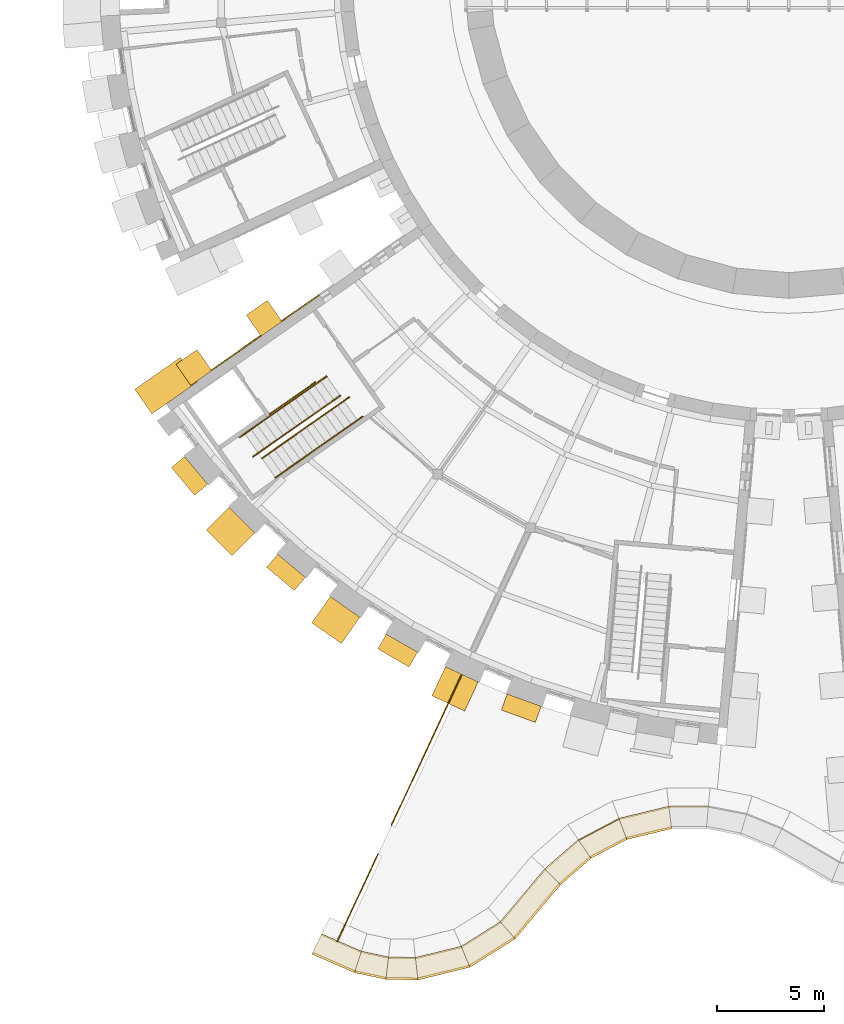
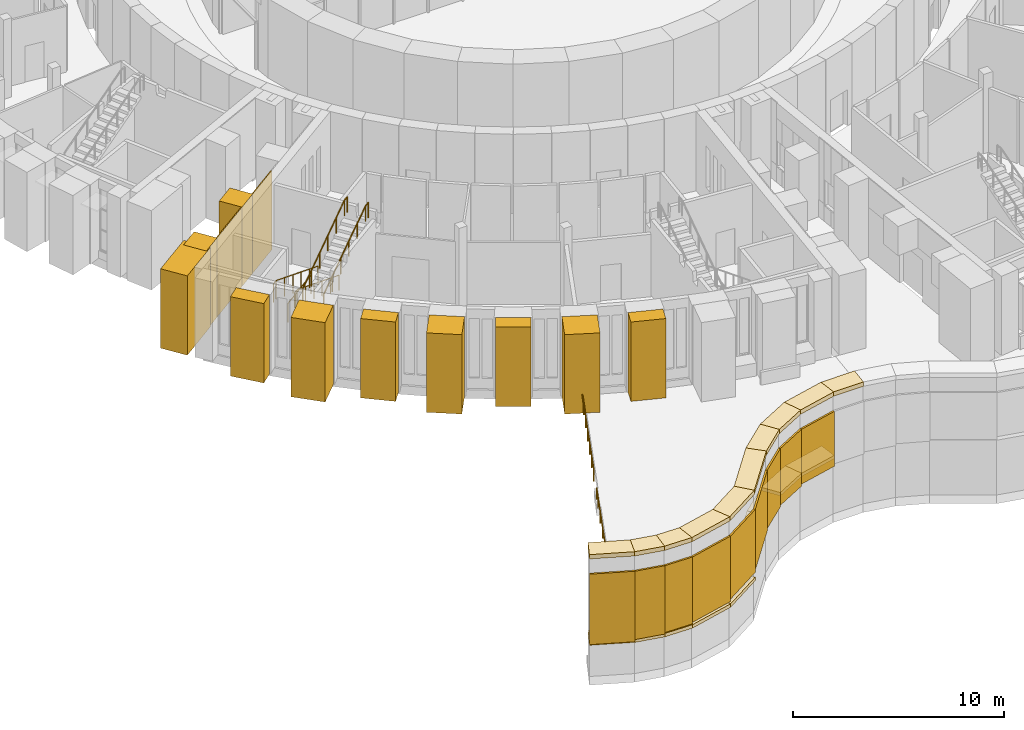
# One storey, part 64 of 85: 40 coverings, 8 railings.
"""IFC4 building model written with IfcOpenShell, lengths in metres."""

from ifc_helpers import new_model, si_unit, direction, frame, origin, origin_2d, place, context, subcontext, project, spatial, polyline, rectangle, circle, outline, extrude, material, layer, layer_set, type_object, element, save


model = new_model("IFC4")

# Units and contexts
model_context = context("Model", 3, precision=1e-05, world=origin(), true_north=direction((0.0, 1.0)))
body_context = subcontext(model_context, "Body", "Model", "MODEL_VIEW")
ifc_project = project(units=[si_unit("LENGTHUNIT", "METRE"), si_unit("AREAUNIT", "SQUARE_METRE"), si_unit("VOLUMEUNIT", "CUBIC_METRE"), si_unit("PLANEANGLEUNIT", "RADIAN"), si_unit("MASSUNIT", "GRAM", prefix="KILO")], contexts=[model_context])

# Site, building, storey
site_placement = place(None, origin())
site = spatial("IfcSite", under=ifc_project, at=site_placement, CompositionType="ELEMENT")
building_placement = place(site_placement, origin())
building = spatial("IfcBuilding", under=site, at=building_placement, Name="Volute Hill Aquarium", CompositionType="ELEMENT")
storey_placement = place(building_placement, origin())
storey = spatial("IfcBuildingStorey", under=building, at=storey_placement, Name="L01", CompositionType="ELEMENT", Elevation=0.0)

# Coverings
ifc_material_1 = material(Name="Precast concrete C40/50", Category="concrete")
covering_type_1 = type_object("IfcCoveringType", Name="End wall precast fin C40/50 1200x1200", PredefinedType="CLADDING", material=ifc_material_1)
for number, where, z_axis, x_axis, name in (
    (1, (-24.521484375, -16.13232421875, 0.0), (0.0, 0.0, 1.0), (-0.81915382895, -0.573573887583, 0.0), "End wall fin EWF S2A L01 3"),
    (2, (-27.80615234375, -18.432373046875, 0.0), (0.0, 0.0, 1.0), (-0.81915382895, -0.573573887583, 0.0), "End wall fin EWF S2A L01 4"),
):
    element("IfcCovering", number, at=place(storey_placement, frame(where, z_axis=z_axis, x_axis=x_axis)), inside=storey, type_object=covering_type_1, Name=name, PredefinedType="CLADDING", context=body_context, shape_type="SweptSolid", body=[
        extrude(rectangle(XDim=1.199951171875, YDim=1.199951171875, at=origin_2d()), origin(), (0.0, 0.0, 1.0), 4.60009765625),
    ])
ifc_material_2 = material(Name="Precast concrete C40/50", Category="concrete")
ifc_layer_1 = layer(ifc_material_2, 0.050048828125)
ifc_layer_set_1 = layer_set([ifc_layer_1], Name="End wall precast infill panel C40/50 50")
covering_type_2 = type_object("IfcCoveringType", Name="End wall precast infill panel C40/50 50", PredefinedType="CLADDING", material=ifc_layer_set_1)
covering_1_placement = place(storey_placement, frame((-21.958984375, -15.009521484375, 0.0), z_axis=(-0.573561729018, 0.819162342278, 0.0), x_axis=(-0.819162342278, -0.573561729018, 0.0)))
element("IfcCovering", 3, at=covering_1_placement, inside=storey, type_object=covering_type_2, Name="End wall panel EWP S2A L01 2", PredefinedType="CLADDING", context=body_context, shape_type="SweptSolid", body=[
    extrude(outline(polyline([(0.0, 0.0), (2.143183522686657, 0.0), (2.143183522686657, 4.60009765625), (0.0, 4.60009765625), (0.0, 0.0)])), origin(), (0.0, 0.0, -1.0), 0.050048828125),
])
covering_2_placement = place(storey_placement, frame((-24.697509765625, -16.927001953125, 0.0), z_axis=(-0.573602281943, 0.819133946403, 0.0), x_axis=(-0.819133946403, -0.573602281943, 0.0)))
element("IfcCovering", 4, at=covering_2_placement, inside=storey, type_object=covering_type_2, Name="End wall panel EWP S2A L01 3", PredefinedType="CLADDING", context=body_context, shape_type="SweptSolid", body=[
    extrude(outline(polyline([(0.0, 0.0), (2.8099895293152697, 0.0), (2.8099895293152697, 4.60009765625), (0.0, 4.60009765625), (0.0, 0.0)])), origin(), (0.0, 0.0, -1.0), 0.050048828125),
])

# Railings
ifc_material_3 = material(Name="Stainless steel 1.4301", Category="steel")
railing_type_1 = type_object("IfcRailingType", Name="Guard 1100 stainless", PredefinedType="GUARDRAIL", material=ifc_material_3)
railing_1_placement = place(storey_placement, frame((-24.263671875, -20.615234375, 0.0)))
element("IfcRailing", 5, at=railing_1_placement, inside=storey, type_object=railing_type_1, Name="gd/S2-A/L01/edge", PredefinedType="GUARDRAIL", context=body_context, shape_type="SweptSolid", body=[
    extrude(circle(Radius=0.02392578125, at=origin_2d()), frame((0.0, 0.0, 1.076171875), z_axis=(0.819178980414, 0.573537965655, 0.0), x_axis=(-0.573537965655, 0.819178980414, 0.0)), (0.0, 0.0, 1.0), 2.60009765625),
    extrude(circle(Radius=0.02099609375, at=origin_2d()), origin(), (0.0, 0.0, 1.0), 1.052001953125),
    extrude(circle(Radius=0.02099609375, at=origin_2d()), frame((0.7099609375, 0.4970703125, 0.0)), (0.0, 0.0, 1.0), 1.052001953125),
    extrude(circle(Radius=0.02099609375, at=origin_2d()), frame((1.419921875, 0.994140625, 0.0)), (0.0, 0.0, 1.0), 1.052001953125),
    extrude(circle(Radius=0.02099609375, at=origin_2d()), frame((2.1298828125, 1.4912109375, 0.0)), (0.0, 0.0, 1.0), 1.052001953125),
])
railing_2_placement = place(storey_placement, frame((-21.596435546875, -18.84521484375, 0.164306640625)))
element("IfcRailing", 6, at=railing_2_placement, inside=storey, type_object=railing_type_1, Name="gd/S2-A/L01/1", PredefinedType="GUARDRAIL", context=body_context, shape_type="SweptSolid", body=[
    extrude(circle(Radius=0.02392578125, at=origin_2d()), frame((0.0, 0.0, 1.076171875), z_axis=(-0.745211487204, -0.521833121906, 0.415150613899), x_axis=(0.573598873883, -0.819136332902, 0.0)), (0.0, 0.0, 1.0), 5.14453125),
    extrude(circle(Radius=0.02392578125, at=origin_2d()), frame((-3.833740234375, -2.6845703125, 3.2119140625), z_axis=(-0.818925855405, -0.573899332068, 0.0), x_axis=(0.573899332068, -0.818925855405, 0.0)), (0.0, 0.0, 1.0), 0.2998046875),
    extrude(circle(Radius=0.02099609375, at=origin_2d()), origin(), (0.0, 0.0, 1.0), 1.052001953125),
    extrude(circle(Radius=0.02099609375, at=origin_2d()), frame((-0.766845703125, -0.536865234375, 0.42724609375)), (0.0, 0.0, 1.0), 1.052001953125),
    extrude(circle(Radius=0.02099609375, at=origin_2d()), frame((-1.533447265625, -1.07373046875, 0.854248046875)), (0.0, 0.0, 1.0), 1.052001953125),
    extrude(circle(Radius=0.02099609375, at=origin_2d()), frame((-2.30029296875, -1.61083984375, 1.281494140625)), (0.0, 0.0, 1.0), 1.052001953125),
    extrude(circle(Radius=0.02099609375, at=origin_2d()), frame((-3.06689453125, -2.147705078125, 1.70849609375)), (0.0, 0.0, 1.0), 1.052001953125),
    extrude(circle(Radius=0.02099609375, at=origin_2d()), frame((-3.833740234375, -2.6845703125, 2.1357421875)), (0.0, 0.0, 1.0), 1.052001953125),
    extrude(circle(Radius=0.02099609375, at=origin_2d()), frame((-4.079345703125, -2.856689453125, 2.1357421875)), (0.0, 0.0, 1.0), 1.052001953125),
])
ifc_material_4 = material(Name="Stainless steel 1.4301", Category="steel")
railing_type_2 = type_object("IfcRailingType", Name="Handrail 48 stainless", PredefinedType="HANDRAIL", material=ifc_material_4)
railing_3_placement = place(storey_placement, frame((-20.965576171875, -19.746337890625, 0.164306640625)))
element("IfcRailing", 7, at=railing_3_placement, inside=storey, type_object=railing_type_2, Name="hr/S2-A/L01/2", PredefinedType="HANDRAIL", context=body_context, shape_type="SweptSolid", body=[
    extrude(circle(Radius=0.02392578125, at=origin_2d()), frame((0.0, 0.0, 0.8759765625), z_axis=(-0.745208839402, -0.521817041729, 0.415175578085), x_axis=(0.573588381334, -0.819143680192, 0.0)), (0.0, 0.0, 1.0), 5.144287109375),
    extrude(circle(Radius=0.02392578125, at=origin_2d()), frame((-3.83349609375, -2.684326171875, 3.01171875), z_axis=(-0.819193700616, -0.573516940352, 0.0), x_axis=(0.573516940352, -0.819193700616, 0.0)), (0.0, 0.0, 1.0), 0.300048828125),
    extrude(circle(Radius=0.02099609375, at=origin_2d()), origin(), (0.0, 0.0, 1.0), 0.851806640625),
    extrude(circle(Radius=0.02099609375, at=origin_2d()), frame((-0.7666015625, -0.536865234375, 0.42724609375)), (0.0, 0.0, 1.0), 0.851806640625),
    extrude(circle(Radius=0.02099609375, at=origin_2d()), frame((-1.533447265625, -1.07373046875, 0.854248046875)), (0.0, 0.0, 1.0), 0.851806640625),
    extrude(circle(Radius=0.02099609375, at=origin_2d()), frame((-2.300048828125, -1.610595703125, 1.281494140625)), (0.0, 0.0, 1.0), 0.851806640625),
    extrude(circle(Radius=0.02099609375, at=origin_2d()), frame((-3.06689453125, -2.1474609375, 1.70849609375)), (0.0, 0.0, 1.0), 0.851806640625),
    extrude(circle(Radius=0.02099609375, at=origin_2d()), frame((-3.83349609375, -2.684326171875, 2.1357421875)), (0.0, 0.0, 1.0), 0.851806640625),
    extrude(circle(Radius=0.02099609375, at=origin_2d()), frame((-4.079345703125, -2.8564453125, 2.1357421875)), (0.0, 0.0, 1.0), 0.851806640625),
])
for number, where, name in (
    (8, (-24.626953125, -22.676513671875, 2.46435546875), "hr/S2-A/L01/3"),
    (9, (-23.99609375, -23.57763671875, 2.46435546875), "hr/S2-A/L01/4"),
):
    element("IfcRailing", number, at=place(storey_placement, frame(where)), inside=storey, type_object=railing_type_2, Name=name, PredefinedType="HANDRAIL", context=body_context, shape_type="SweptSolid", body=[
        extrude(circle(Radius=0.02392578125, at=origin_2d()), frame((0.0, 0.0, 0.8759765625), z_axis=(0.745208839402, 0.521817041729, 0.415175578085), x_axis=(-0.573588381334, 0.819143680192, 0.0)), (0.0, 0.0, 1.0), 5.144287109375),
        extrude(circle(Radius=0.02392578125, at=origin_2d()), frame((3.83349609375, 2.684326171875, 3.01171875), z_axis=(0.819193700616, 0.573516940352, 0.0), x_axis=(-0.573516940352, 0.819193700616, 0.0)), (0.0, 0.0, 1.0), 0.300048828125),
        extrude(circle(Radius=0.02099609375, at=origin_2d()), origin(), (0.0, 0.0, 1.0), 0.851806640625),
        extrude(circle(Radius=0.02099609375, at=origin_2d()), frame((0.7666015625, 0.536865234375, 0.42724609375)), (0.0, 0.0, 1.0), 0.851806640625),
        extrude(circle(Radius=0.02099609375, at=origin_2d()), frame((1.533447265625, 1.07373046875, 0.854248046875)), (0.0, 0.0, 1.0), 0.851806640625),
        extrude(circle(Radius=0.02099609375, at=origin_2d()), frame((2.300048828125, 1.610595703125, 1.281494140625)), (0.0, 0.0, 1.0), 0.851806640625),
        extrude(circle(Radius=0.02099609375, at=origin_2d()), frame((3.06689453125, 2.1474609375, 1.70849609375)), (0.0, 0.0, 1.0), 0.851806640625),
        extrude(circle(Radius=0.02099609375, at=origin_2d()), frame((3.83349609375, 2.684326171875, 2.1357421875)), (0.0, 0.0, 1.0), 0.851806640625),
        extrude(circle(Radius=0.02099609375, at=origin_2d()), frame((4.079345703125, 2.8564453125, 2.1357421875)), (0.0, 0.0, 1.0), 0.851806640625),
    ])

# Coverings
ifc_material_5 = material(Name="Precast concrete C40/50", Category="concrete")
ifc_layer_2 = layer(ifc_material_5, 0.25)
ifc_layer_set_2 = layer_set([ifc_layer_2], Name="Plinth coping precast concrete C40/50 1000")
covering_type_3 = type_object("IfcCoveringType", Name="Plinth coping precast concrete C40/50 1000", PredefinedType="CLADDING", material=ifc_layer_set_2)
covering_3_placement = place(storey_placement, frame((0.0, 0.0, 0.85009765625)))
element("IfcCovering", 10, at=covering_3_placement, inside=storey, type_object=covering_type_3, Name="cp/E13UP/L01/0", PredefinedType="CLADDING", context=body_context, shape_type="SweptSolid", body=[
    extrude(outline(polyline([(-22.270263671875, -45.807861328125), (-20.28369140625, -46.670654296875), (-19.976806640625, -45.7138671875), (-21.832275390625, -44.907958984375), (-22.270263671875, -45.807861328125)])), origin(), (0.0, 0.0, 1.0), 0.25),
])
covering_4_placement = place(storey_placement, frame((0.0, 0.0, 0.85009765625)))
element("IfcCovering", 11, at=covering_4_placement, inside=storey, type_object=covering_type_3, Name="cp/E14UP/L01/0", PredefinedType="CLADDING", context=body_context, shape_type="SweptSolid", body=[
    extrude(outline(polyline([(-18.82421875, -46.983642578125), (-18.82421875, -46.983642578125), (-18.70947265625, -45.9853515625), (-19.976806640625, -45.7138671875), (-19.976806640625, -45.7138671875), (-20.28369140625, -46.670654296875), (-20.28369140625, -46.670654296875), (-18.82421875, -46.983642578125)])), origin(), (0.0, 0.0, 1.0), 0.25),
])
covering_5_placement = place(storey_placement, frame((0.0, 0.0, 0.85009765625)))
element("IfcCovering", 12, at=covering_5_placement, inside=storey, type_object=covering_type_3, Name="cp/E15UP/L01/0", PredefinedType="CLADDING", context=body_context, shape_type="SweptSolid", body=[
    extrude(outline(polyline([(-18.82421875, -46.983642578125), (-17.33935546875, -47.010498046875), (-17.45068359375, -46.00830078125), (-17.45068359375, -46.00830078125), (-18.70947265625, -45.9853515625), (-18.70947265625, -45.9853515625), (-18.82421875, -46.983642578125)])), origin(), (0.0, 0.0, 1.0), 0.25),
])
covering_6_placement = place(storey_placement, frame((0.0, 0.0, 0.85009765625)))
element("IfcCovering", 13, at=covering_6_placement, inside=storey, type_object=covering_type_3, Name="cp/E16UP/L01/0", PredefinedType="CLADDING", context=body_context, shape_type="SweptSolid", body=[
    extrude(outline(polyline([(-17.33935546875, -47.010498046875), (-14.9208984375, -46.420654296875), (-15.3154296875, -45.487548828125), (-17.45068359375, -46.00830078125), (-17.33935546875, -47.010498046875), (-17.33935546875, -47.010498046875)])), origin(), (0.0, 0.0, 1.0), 0.25),
])
covering_7_placement = place(storey_placement, frame((0.0, 0.0, 0.85009765625)))
element("IfcCovering", 14, at=covering_7_placement, inside=storey, type_object=covering_type_3, Name="cp/E17UP/L01/0", PredefinedType="CLADDING", context=body_context, shape_type="SweptSolid", body=[
    extrude(outline(polyline([(-12.818603515625, -45.10009765625), (-12.818603515625, -45.10009765625), (-13.48388671875, -44.337158203125), (-13.48388671875, -44.337158203125), (-15.3154296875, -45.487548828125), (-15.3154296875, -45.487548828125), (-14.9208984375, -46.420654296875), (-14.9208984375, -46.420654296875), (-12.818603515625, -45.10009765625)])), origin(), (0.0, 0.0, 1.0), 0.25),
])
covering_8_placement = place(storey_placement, frame((0.0, 0.0, 0.85009765625)))
element("IfcCovering", 15, at=covering_8_placement, inside=storey, type_object=covering_type_3, Name="cp/E18UP/L01/0", PredefinedType="CLADDING", context=body_context, shape_type="SweptSolid", body=[
    extrude(outline(polyline([(-10.70068359375, -42.57275390625), (-10.70068359375, -42.57275390625), (-11.416259765625, -41.869873046875), (-11.416259765625, -41.869873046875), (-13.48388671875, -44.337158203125), (-12.818603515625, -45.10009765625), (-10.70068359375, -42.57275390625)])), origin(), (0.0, 0.0, 1.0), 0.25),
])
covering_9_placement = place(storey_placement, frame((0.0, 0.0, 0.85009765625)))
element("IfcCovering", 16, at=covering_9_placement, inside=storey, type_object=covering_type_3, Name="cp/E19UP/L01/0", PredefinedType="CLADDING", context=body_context, shape_type="SweptSolid", body=[
    extrude(outline(polyline([(-9.272705078125, -41.33251953125), (-9.272705078125, -41.33251953125), (-9.8408203125, -40.50146484375), (-9.8408203125, -40.50146484375), (-11.416259765625, -41.869873046875), (-10.70068359375, -42.57275390625), (-9.272705078125, -41.33251953125)])), origin(), (0.0, 0.0, 1.0), 0.25),
])
covering_10_placement = place(storey_placement, frame((0.0, 0.0, 0.85009765625)))
element("IfcCovering", 17, at=covering_10_placement, inside=storey, type_object=covering_type_3, Name="cp/E20UP/L01/0", PredefinedType="CLADDING", context=body_context, shape_type="SweptSolid", body=[
    extrude(outline(polyline([(-9.272705078125, -41.33251953125), (-7.588623046875, -40.44677734375), (-7.944091796875, -39.50390625), (-9.8408203125, -40.50146484375), (-9.272705078125, -41.33251953125)])), origin(), (0.0, 0.0, 1.0), 0.25),
])
covering_11_placement = place(storey_placement, frame((0.0, 0.0, 0.85009765625)))
element("IfcCovering", 18, at=covering_11_placement, inside=storey, type_object=covering_type_3, Name="cp/E21UP/L01/0", PredefinedType="CLADDING", context=body_context, shape_type="SweptSolid", body=[
    extrude(outline(polyline([(-5.484375, -39.93896484375), (-5.484375, -39.93896484375), (-5.606201171875, -38.939697265625), (-5.606201171875, -38.939697265625), (-7.944091796875, -39.50390625), (-7.944091796875, -39.50390625), (-7.588623046875, -40.44677734375), (-7.588623046875, -40.44677734375), (-5.484375, -39.93896484375)])), origin(), (0.0, 0.0, 1.0), 0.25),
])
covering_12_placement = place(storey_placement, frame((0.0, 0.0, 0.85009765625)))
element("IfcCovering", 19, at=covering_12_placement, inside=storey, type_object=covering_type_3, Name="cp/E22UP/L01/0", PredefinedType="CLADDING", context=body_context, shape_type="SweptSolid", body=[
    extrude(outline(polyline([(-3.850341796875, -39.929443359375), (-3.850341796875, -39.929443359375), (-3.7568359375, -38.928955078125), (-3.7568359375, -38.928955078125), (-5.606201171875, -38.939697265625), (-5.484375, -39.93896484375), (-3.850341796875, -39.929443359375)])), origin(), (0.0, 0.0, 1.0), 0.25),
])
ifc_material_6 = material(Name="Precast concrete C40/50", Category="concrete")
ifc_layer_3 = layer(ifc_material_6, 0.199951171875)
ifc_layer_set_3 = layer_set([ifc_layer_3], Name="Plinth grade course precast concrete C40/50 1100")
covering_type_4 = type_object("IfcCoveringType", Name="Plinth grade course precast concrete C40/50 1100", PredefinedType="CLADDING", material=ifc_layer_set_3)
covering_13_placement = place(storey_placement, frame((0.0, 0.0, -4.125)))
element("IfcCovering", 20, at=covering_13_placement, inside=storey, type_object=covering_type_4, Name="gc/E13UP/L01/0", PredefinedType="CLADDING", context=body_context, shape_type="SweptSolid", body=[
    extrude(outline(polyline([(-22.292236328125, -45.852783203125), (-20.299072265625, -46.718505859375), (-19.9921875, -45.76171875), (-21.854248046875, -44.952880859375), (-22.292236328125, -45.852783203125)])), origin(), (0.0, 0.0, 1.0), 0.199951171875),
])
covering_14_placement = place(storey_placement, frame((0.0, 0.0, -4.125)))
element("IfcCovering", 21, at=covering_14_placement, inside=storey, type_object=covering_type_4, Name="gc/E14UP/L01/0", PredefinedType="CLADDING", context=body_context, shape_type="SweptSolid", body=[
    extrude(outline(polyline([(-20.299072265625, -46.718505859375), (-18.830078125, -47.033447265625), (-18.715087890625, -46.035400390625), (-18.715087890625, -46.035400390625), (-19.9921875, -45.76171875), (-19.9921875, -45.76171875), (-20.299072265625, -46.718505859375), (-20.299072265625, -46.718505859375)])), origin(), (0.0, 0.0, 1.0), 0.199951171875),
])
covering_15_placement = place(storey_placement, frame((0.0, 0.0, -4.125)))
element("IfcCovering", 22, at=covering_15_placement, inside=storey, type_object=covering_type_4, Name="gc/E15UP/L01/0", PredefinedType="CLADDING", context=body_context, shape_type="SweptSolid", body=[
    extrude(outline(polyline([(-18.830078125, -47.033447265625), (-17.333740234375, -47.060546875), (-17.445068359375, -46.058349609375), (-18.715087890625, -46.035400390625), (-18.830078125, -47.033447265625), (-18.830078125, -47.033447265625)])), origin(), (0.0, 0.0, 1.0), 0.199951171875),
])
covering_16_placement = place(storey_placement, frame((0.0, 0.0, -4.125)))
element("IfcCovering", 23, at=covering_16_placement, inside=storey, type_object=covering_type_4, Name="gc/E16UP/L01/0", PredefinedType="CLADDING", context=body_context, shape_type="SweptSolid", body=[
    extrude(outline(polyline([(-17.333740234375, -47.060546875), (-14.901123046875, -46.46728515625), (-15.295654296875, -45.5341796875), (-17.445068359375, -46.058349609375), (-17.445068359375, -46.058349609375), (-17.333740234375, -47.060546875), (-17.333740234375, -47.060546875)])), origin(), (0.0, 0.0, 1.0), 0.199951171875),
])
covering_17_placement = place(storey_placement, frame((0.0, 0.0, -4.125)))
element("IfcCovering", 24, at=covering_17_placement, inside=storey, type_object=covering_type_4, Name="gc/E17UP/L01/0", PredefinedType="CLADDING", context=body_context, shape_type="SweptSolid", body=[
    extrude(outline(polyline([(-12.785400390625, -45.13818359375), (-12.785400390625, -45.13818359375), (-13.45068359375, -44.375244140625), (-13.45068359375, -44.375244140625), (-15.295654296875, -45.5341796875), (-14.901123046875, -46.46728515625), (-14.901123046875, -46.46728515625), (-12.785400390625, -45.13818359375)])), origin(), (0.0, 0.0, 1.0), 0.199951171875),
])
covering_18_placement = place(storey_placement, frame((0.0, 0.0, -2.75)))
element("IfcCovering", 25, at=covering_18_placement, inside=storey, type_object=covering_type_4, Name="gc/E18UP/L01/0", PredefinedType="CLADDING", context=body_context, shape_type="SweptSolid", body=[
    extrude(outline(polyline([(-10.664794921875, -42.60791015625), (-10.664794921875, -42.60791015625), (-11.38037109375, -41.905029296875), (-11.38037109375, -41.905029296875), (-13.45068359375, -44.375244140625), (-12.785400390625, -45.13818359375), (-10.664794921875, -42.60791015625)])), origin(), (0.0, 0.0, 1.0), 0.199951171875),
])
covering_19_placement = place(storey_placement, frame((0.0, 0.0, -2.75)))
element("IfcCovering", 26, at=covering_19_placement, inside=storey, type_object=covering_type_4, Name="gc/E19UP/L01/0", PredefinedType="CLADDING", context=body_context, shape_type="SweptSolid", body=[
    extrude(outline(polyline([(-9.244140625, -41.3740234375), (-9.244140625, -41.3740234375), (-9.812255859375, -40.54296875), (-9.812255859375, -40.54296875), (-11.38037109375, -41.905029296875), (-10.664794921875, -42.60791015625), (-9.244140625, -41.3740234375)])), origin(), (0.0, 0.0, 1.0), 0.199951171875),
])
covering_20_placement = place(storey_placement, frame((0.0, 0.0, -2.75)))
element("IfcCovering", 27, at=covering_20_placement, inside=storey, type_object=covering_type_4, Name="gc/E20UP/L01/0", PredefinedType="CLADDING", context=body_context, shape_type="SweptSolid", body=[
    extrude(outline(polyline([(-9.244140625, -41.3740234375), (-7.57080078125, -40.493896484375), (-7.92626953125, -39.551025390625), (-9.812255859375, -40.54296875), (-9.244140625, -41.3740234375)])), origin(), (0.0, 0.0, 1.0), 0.199951171875),
])
covering_21_placement = place(storey_placement, frame((0.0, 0.0, -2.75)))
element("IfcCovering", 28, at=covering_21_placement, inside=storey, type_object=covering_type_4, Name="gc/E21UP/L01/0", PredefinedType="CLADDING", context=body_context, shape_type="SweptSolid", body=[
    extrude(outline(polyline([(-5.478271484375, -39.989013671875), (-5.478271484375, -39.989013671875), (-5.60009765625, -38.98974609375), (-7.92626953125, -39.551025390625), (-7.92626953125, -39.551025390625), (-7.57080078125, -40.493896484375), (-7.57080078125, -40.493896484375), (-5.478271484375, -39.989013671875)])), origin(), (0.0, 0.0, 1.0), 0.199951171875),
])
ifc_material_7 = material(Name="Precast concrete C40/50", Category="concrete")
covering_type_5 = type_object("IfcCoveringType", Name="Projecting pier precast concrete C40/50 1689x1500", PredefinedType="CLADDING", material=ifc_material_7)
for number, where, z_axis, x_axis, name in (
    (29, (-26.099853515625, -26.099853515625, 0.0), (0.0, 0.0, 1.0), (0.707106781187, -0.707106781187, 0.0), "Projecting pier PP S2 L01 2"),
    (30, (-21.171142578125, -30.235595703125, 0.0), (0.0, 0.0, 1.0), (0.819152044289, -0.573576436351, 0.0), "Projecting pier PP S2 L01 4"),
    (31, (-15.59912109375, -33.452392578125, 0.0), (0.0, 0.0, 1.0), (0.906307787037, -0.422618261741, 0.0), "Projecting pier PP S2 L01 6"),
):
    element("IfcCovering", number, at=place(storey_placement, frame(where, z_axis=z_axis, x_axis=x_axis)), inside=storey, type_object=covering_type_5, Name=name, PredefinedType="CLADDING", context=body_context, shape_type="SweptSolid", body=[
        extrude(rectangle(XDim=1.688720703125, YDim=1.5, at=origin_2d()), origin(), (0.0, 0.0, 1.0), 4.60009765625),
    ])
ifc_material_8 = material(Name="Precast concrete C40/50", Category="concrete")
covering_type_6 = type_object("IfcCoveringType", Name="Projecting pier precast concrete C40/50 1689x800", PredefinedType="CLADDING", material=ifc_material_8)
for number, where, z_axis, x_axis, name in (
    (32, (-28.007080078125, -23.5009765625, 0.0), (0.0, 0.0, 1.0), (0.642787609687, -0.766044443119, 0.0), "Projecting pier PP S2 L01 1"),
    (33, (-23.5009765625, -28.007080078125, 0.0), (0.0, 0.0, 1.0), (0.766044443119, -0.642787609687, 0.0), "Projecting pier PP S2 L01 3"),
    (34, (-18.280517578125, -31.66259765625, 0.0), (0.0, 0.0, 1.0), (0.866025403784, -0.5, 0.0), "Projecting pier PP S2 L01 5"),
    (35, (-12.50439453125, -34.35595703125, 0.0), (0.0, 0.0, 1.0), (0.939692620786, -0.342020143326, 0.0), "Projecting pier PP S2 L01 7"),
):
    element("IfcCovering", number, at=place(storey_placement, frame(where, z_axis=z_axis, x_axis=x_axis)), inside=storey, type_object=covering_type_6, Name=name, PredefinedType="CLADDING", context=body_context, shape_type="SweptSolid", body=[
        extrude(rectangle(XDim=1.688720703125, YDim=0.800048828125, at=origin_2d()), origin(), (0.0, 0.0, 1.0), 4.60009765625),
    ])
ifc_material_9 = material(Name="Precast concrete C40/50", Category="concrete")
ifc_layer_4 = layer(ifc_material_9, 0.10009765625)
ifc_layer_set_4 = layer_set([ifc_layer_4], Name="Retained ground face precast concrete C40/50 100")
covering_type_7 = type_object("IfcCoveringType", Name="Retained ground face precast concrete C40/50 100", PredefinedType="CLADDING", material=ifc_layer_set_4)
covering_22_placement = place(storey_placement, frame((0.0, 0.0, -4.0830078125)))
element("IfcCovering", 36, at=covering_22_placement, inside=storey, type_object=covering_type_7, Name="tg/E13UP/L01/0", PredefinedType="CLADDING", context=body_context, shape_type="SweptSolid", body=[
    extrude(outline(polyline([(-22.292236328125, -45.852783203125), (-20.299072265625, -46.718505859375), (-20.268310546875, -46.622802734375), (-22.248291015625, -45.762939453125), (-22.292236328125, -45.852783203125)])), origin(), (0.0, 0.0, 1.0), 4.0830078125),
])
covering_23_placement = place(storey_placement, frame((0.0, 0.0, -3.961669921875)))
element("IfcCovering", 37, at=covering_23_placement, inside=storey, type_object=covering_type_7, Name="tg/E14UP/L01/0", PredefinedType="CLADDING", context=body_context, shape_type="SweptSolid", body=[
    extrude(outline(polyline([(-20.299072265625, -46.718505859375), (-18.830078125, -47.033447265625), (-18.818603515625, -46.93359375), (-20.268310546875, -46.622802734375), (-20.268310546875, -46.622802734375), (-20.299072265625, -46.718505859375), (-20.299072265625, -46.718505859375)])), origin(), (0.0, 0.0, 1.0), 3.961669921875),
])
covering_24_placement = place(storey_placement, frame((0.0, 0.0, -3.87548828125)))
element("IfcCovering", 38, at=covering_24_placement, inside=storey, type_object=covering_type_7, Name="tg/E15UP/L01/0", PredefinedType="CLADDING", context=body_context, shape_type="SweptSolid", body=[
    extrude(outline(polyline([(-18.830078125, -47.033447265625), (-17.333740234375, -47.060546875), (-17.344970703125, -46.96044921875), (-18.818603515625, -46.93359375), (-18.818603515625, -46.93359375), (-18.830078125, -47.033447265625), (-18.830078125, -47.033447265625)])), origin(), (0.0, 0.0, 1.0), 3.87548828125),
])
covering_25_placement = place(storey_placement, frame((0.0, 0.0, -3.788818359375)))
element("IfcCovering", 39, at=covering_25_placement, inside=storey, type_object=covering_type_7, Name="tg/E16UP/L01/0", PredefinedType="CLADDING", context=body_context, shape_type="SweptSolid", body=[
    extrude(outline(polyline([(-17.333740234375, -47.060546875), (-14.901123046875, -46.46728515625), (-14.9404296875, -46.3740234375), (-17.344970703125, -46.96044921875), (-17.344970703125, -46.96044921875), (-17.333740234375, -47.060546875), (-17.333740234375, -47.060546875)])), origin(), (0.0, 0.0, 1.0), 3.788818359375),
])
covering_26_placement = place(storey_placement, frame((0.0, 0.0, -3.644775390625)))
element("IfcCovering", 40, at=covering_26_placement, inside=storey, type_object=covering_type_7, Name="tg/E17UP/L01/0", PredefinedType="CLADDING", context=body_context, shape_type="SweptSolid", body=[
    extrude(outline(polyline([(-12.785400390625, -45.13818359375), (-12.785400390625, -45.13818359375), (-12.85205078125, -45.06201171875), (-12.85205078125, -45.06201171875), (-14.9404296875, -46.3740234375), (-14.9404296875, -46.3740234375), (-14.901123046875, -46.46728515625), (-14.901123046875, -46.46728515625), (-12.785400390625, -45.13818359375)])), origin(), (0.0, 0.0, 1.0), 3.644775390625),
])
covering_27_placement = place(storey_placement, frame((0.0, 0.0, -3.5205078125)))
element("IfcCovering", 41, at=covering_27_placement, inside=storey, type_object=covering_type_7, Name="tg/E18UP/L01/0", PredefinedType="CLADDING", context=body_context, shape_type="SweptSolid", body=[
    extrude(outline(polyline([(-10.664794921875, -42.60791015625), (-10.664794921875, -42.60791015625), (-10.736328125, -42.53759765625), (-10.736328125, -42.53759765625), (-12.85205078125, -45.06201171875), (-12.785400390625, -45.13818359375), (-10.664794921875, -42.60791015625)])), origin(), (0.0, 0.0, 1.0), 3.5205078125),
])
covering_28_placement = place(storey_placement, frame((0.0, 0.0, -3.38818359375)))
element("IfcCovering", 42, at=covering_28_placement, inside=storey, type_object=covering_type_7, Name="tg/E19UP/L01/0", PredefinedType="CLADDING", context=body_context, shape_type="SweptSolid", body=[
    extrude(outline(polyline([(-9.244140625, -41.3740234375), (-9.244140625, -41.3740234375), (-9.301025390625, -41.291015625), (-10.736328125, -42.53759765625), (-10.664794921875, -42.60791015625), (-9.244140625, -41.3740234375)])), origin(), (0.0, 0.0, 1.0), 3.38818359375),
])
covering_29_placement = place(storey_placement, frame((0.0, 0.0, -3.293212890625)))
element("IfcCovering", 43, at=covering_29_placement, inside=storey, type_object=covering_type_7, Name="tg/E20UP/L01/0", PredefinedType="CLADDING", context=body_context, shape_type="SweptSolid", body=[
    extrude(outline(polyline([(-9.244140625, -41.3740234375), (-7.57080078125, -40.493896484375), (-7.6064453125, -40.399658203125), (-9.301025390625, -41.291015625), (-9.301025390625, -41.291015625), (-9.244140625, -41.3740234375)])), origin(), (0.0, 0.0, 1.0), 3.293212890625),
])
covering_30_placement = place(storey_placement, frame((0.0, 0.0, -3.18017578125)))
element("IfcCovering", 44, at=covering_30_placement, inside=storey, type_object=covering_type_7, Name="tg/E21UP/L01/0", PredefinedType="CLADDING", context=body_context, shape_type="SweptSolid", body=[
    extrude(outline(polyline([(-5.478271484375, -39.989013671875), (-5.478271484375, -39.989013671875), (-5.490478515625, -39.88916015625), (-5.490478515625, -39.88916015625), (-7.6064453125, -40.399658203125), (-7.6064453125, -40.399658203125), (-7.57080078125, -40.493896484375), (-7.57080078125, -40.493896484375), (-5.478271484375, -39.989013671875)])), origin(), (0.0, 0.0, 1.0), 3.18017578125),
])

# Railings
ifc_material_10 = material(Name="Steel S355", Category="steel")
railing_type_3 = type_object("IfcRailingType", Name="Site guard 1100", PredefinedType="GUARDRAIL", material=ifc_material_10)
railing_4_placement = place(storey_placement, frame((-15.298828125, -32.808349609375, 0.449951171875)))
element("IfcRailing", 45, at=railing_4_placement, inside=storey, type_object=railing_type_3, Name="gd/RW245/L00/0", PredefinedType="GUARDRAIL", context=body_context, shape_type="SweptSolid", body=[
    extrude(circle(Radius=0.02392578125, at=origin_2d()), frame((0.0, 0.0, 0.6259765625), z_axis=(-0.422607433309, -0.906312836339, 0.0), x_axis=(0.906312836339, -0.422607433309, 0.0)), (0.0, 0.0, 1.0), 7.739990234375),
    extrude(circle(Radius=0.02099609375, at=origin_2d()), origin(), (0.0, 0.0, 1.0), 0.601806640625),
    extrude(circle(Radius=0.02099609375, at=origin_2d()), frame((-0.46728515625, -1.002197265625, 0.0)), (0.0, 0.0, 1.0), 0.601806640625),
    extrude(circle(Radius=0.02099609375, at=origin_2d()), frame((-0.9345703125, -2.004150390625, 0.0)), (0.0, 0.0, 1.0), 0.601806640625),
    extrude(circle(Radius=0.02099609375, at=origin_2d()), frame((-1.40185546875, -3.00634765625, 0.0)), (0.0, 0.0, 1.0), 0.601806640625),
    extrude(circle(Radius=0.02099609375, at=origin_2d()), frame((-1.869140625, -4.008544921875, 0.0)), (0.0, 0.0, 1.0), 0.601806640625),
    extrude(circle(Radius=0.02099609375, at=origin_2d()), frame((-2.33642578125, -5.0107421875, 0.0)), (0.0, 0.0, 1.0), 0.601806640625),
    extrude(circle(Radius=0.02099609375, at=origin_2d()), frame((-2.8037109375, -6.0126953125, 0.0)), (0.0, 0.0, 1.0), 0.601806640625),
    extrude(circle(Radius=0.02099609375, at=origin_2d()), frame((-3.27099609375, -7.014892578125, 0.0)), (0.0, 0.0, 1.0), 0.601806640625),
])
railing_5_placement = place(storey_placement, frame((-19.203857421875, -41.1826171875, 0.449951171875)))
element("IfcRailing", 46, at=railing_5_placement, inside=storey, type_object=railing_type_3, Name="gd/RW245/L00/1", PredefinedType="GUARDRAIL", context=body_context, shape_type="SweptSolid", body=[
    extrude(circle(Radius=0.02392578125, at=origin_2d()), frame((0.0, 0.0, 0.6259765625), z_axis=(-0.422498469725, -0.906363637333, 0.0), x_axis=(0.906363637333, -0.422498469725, 0.0)), (0.0, 0.0, 1.0), 0.759765625),
    extrude(circle(Radius=0.02099609375, at=origin_2d()), origin(), (0.0, 0.0, 1.0), 0.601806640625),
    extrude(circle(Radius=0.02099609375, at=origin_2d()), frame((-0.321044921875, -0.688720703125, 0.0)), (0.0, 0.0, 1.0), 0.601806640625),
])
railing_6_placement = place(storey_placement, frame((-19.52490234375, -41.871337890625, 0.449951171875)))
element("IfcRailing", 47, at=railing_6_placement, inside=storey, type_object=railing_type_3, Name="gd/RW245/L00/2", PredefinedType="GUARDRAIL", context=body_context, shape_type="SweptSolid", body=[
    extrude(circle(Radius=0.02392578125, at=origin_2d()), frame((0.0, 0.0, 0.6259765625), z_axis=(-0.422631434526, -0.906301644349, 0.0), x_axis=(0.906301644349, -0.422631434526, 0.0)), (0.0, 0.0, 1.0), 3.73583984375),
    extrude(circle(Radius=0.02099609375, at=origin_2d()), origin(), (0.0, 0.0, 1.0), 0.601806640625),
    extrude(circle(Radius=0.02099609375, at=origin_2d()), frame((-0.5263671875, -1.128662109375, 0.0)), (0.0, 0.0, 1.0), 0.601806640625),
    extrude(circle(Radius=0.02099609375, at=origin_2d()), frame((-1.052490234375, -2.257080078125, 0.0)), (0.0, 0.0, 1.0), 0.601806640625),
    extrude(circle(Radius=0.02099609375, at=origin_2d()), frame((-1.578857421875, -3.3857421875, 0.0)), (0.0, 0.0, 1.0), 0.601806640625),
])

# Covering
ifc_material_11 = material(Name="Precast concrete C40/50", Category="concrete")
covering_type_8 = type_object("IfcCoveringType", Name="Step pylon precast concrete C40/50 1400x2600", PredefinedType="CLADDING", material=ifc_material_11)
covering_31_placement = place(storey_placement, frame((-29.104736328125, -19.280517578125, 0.0), z_axis=(0.0, 0.0, 1.0), x_axis=(-0.819152044289, -0.573576436351, 0.0)))
element("IfcCovering", 48, at=covering_31_placement, inside=storey, type_object=covering_type_8, Name="Step pylon SPY S2A L01", PredefinedType="CLADDING", context=body_context, shape_type="SweptSolid", body=[
    extrude(rectangle(XDim=2.60009765625, YDim=1.39990234375, at=origin_2d()), origin(), (0.0, 0.0, 1.0), 4.60009765625),
])

save(model, "model.ifc")
